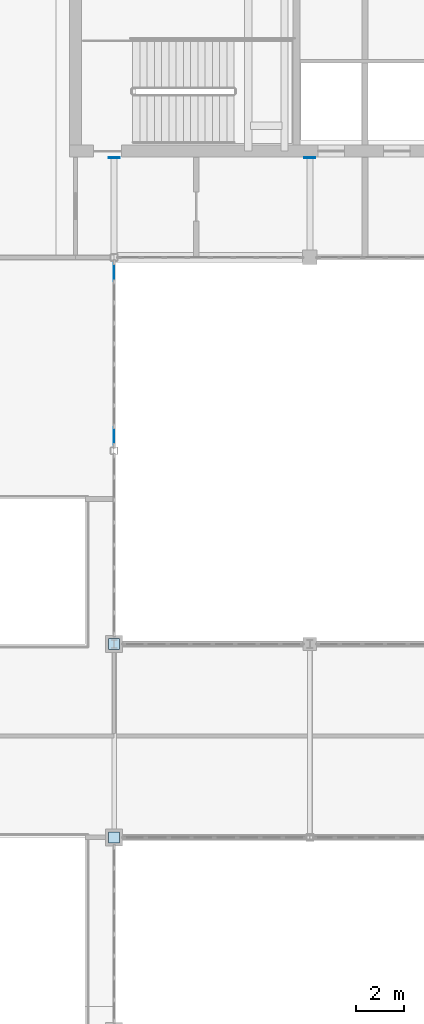
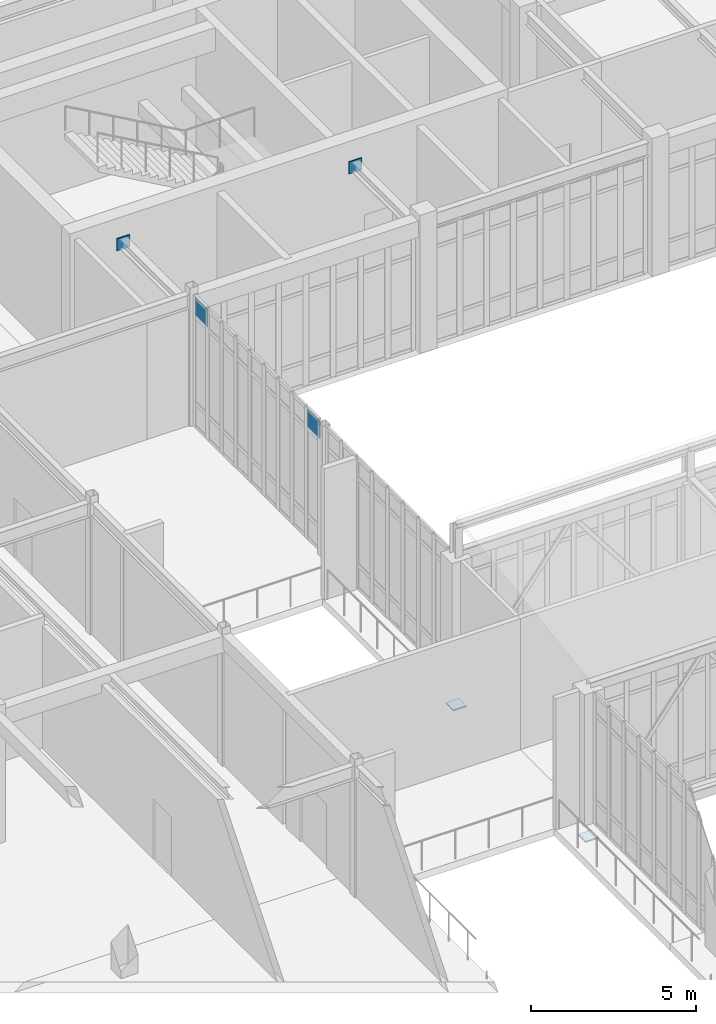
# One storey, part 90 of 107: 6 plates, 1 element without a shape of its own.
"""IFC4 building model written with IfcOpenShell, lengths in metres."""

from ifc_helpers import new_model, si_unit, direction, frame, origin, origin_2d, place, context, subcontext, project, spatial, rectangle, extrude, material, layer, layer_set, type_object, element, aggregate, save


model = new_model("IFC4")

# Units and contexts
model_context = context("Model", 3, precision=1e-05, world=origin(), true_north=direction((0.0, 1.0)))
body_context = subcontext(model_context, "Body", "Model", "MODEL_VIEW")
ifc_project = project(units=[si_unit("LENGTHUNIT", "METRE"), si_unit("AREAUNIT", "SQUARE_METRE"), si_unit("VOLUMEUNIT", "CUBIC_METRE"), si_unit("PLANEANGLEUNIT", "RADIAN"), si_unit("MASSUNIT", "GRAM", prefix="KILO")], contexts=[model_context])

# Site, building, storey
site_placement = place(None, origin())
site = spatial("IfcSite", under=ifc_project, at=site_placement, CompositionType="ELEMENT")
building_placement = place(site_placement, origin())
building = spatial("IfcBuilding", under=site, at=building_placement, Name="Tarnveldt Square Police Headquarters", CompositionType="ELEMENT")
storey_placement = place(building_placement, frame((0.0, 0.0, 14.699951171875)))
storey = spatial("IfcBuildingStorey", under=building, at=storey_placement, Name="L03", CompositionType="ELEMENT", Elevation=14.699951171875)

# Curtain wall, plates
ifc_material_1 = material(Name="Triple-glazed low-e laminated vision glass", Category="glass")
curtain_wall_type = type_object("IfcCurtainWallType", Name="CW-WG-767x484", PredefinedType="USERDEFINED", material=ifc_material_1)
curtain_wall_placement = place(storey_placement, origin())
curtain_wall = element("IfcCurtainWall", 1, at=curtain_wall_placement, inside=storey, type_object=curtain_wall_type, Name="L03 Curtain Wall CW-L03-082", ObjectType="GLAZED CURTAIN WALL", PredefinedType="USERDEFINED")
ifc_layer_1 = layer(ifc_material_1, 0.028076171875)
ifc_layer_set_1 = layer_set([ifc_layer_1], Name="Triple-glazed low-e laminated vision glass")
plate_type_1 = type_object("IfcPlateType", Name="CWP-VIS-28", PredefinedType="CURTAIN_PANEL", material=ifc_layer_set_1)
plate_1_placement = place(storey_placement, frame((48.60009765625, 88.612060546875, 4.12744140625), z_axis=(0.0, 0.0, 1.0), x_axis=(0.0, 1.0, 0.0)))
plate_1 = element("IfcPlate", 2, at=plate_1_placement, type_object=plate_type_1, Name="CW-WG40 panel 1.3", PredefinedType="CURTAIN_PANEL", context=body_context, shape_type="SweptSolid", body=[
    extrude(rectangle(XDim=0.7392578125, YDim=0.028076171875, at=origin_2d()), origin(), (0.0, 0.0, 1.0), 0.637451171875),
])
plate_2_placement = place(storey_placement, frame((48.60009765625, 95.387939453125, 4.12744140625), z_axis=(0.0, 0.0, 1.0), x_axis=(0.0, 1.0, 0.0)))
plate_2 = element("IfcPlate", 3, at=plate_2_placement, type_object=plate_type_1, Name="CW-WG40 panel 9.3", PredefinedType="CURTAIN_PANEL", context=body_context, shape_type="SweptSolid", body=[
    extrude(rectangle(XDim=0.7392578125, YDim=0.028076171875, at=origin_2d()), origin(), (0.0, 0.0, 1.0), 0.637451171875),
])
aggregate(curtain_wall, [plate_1, plate_2])

# Plates
ifc_material_2 = material(Name="Steel 350W", Category="steel")
ifc_layer_2 = layer(ifc_material_2, 0.052001953125)
ifc_layer_set_2 = layer_set([ifc_layer_2], Name="Steel 350W")
plate_type_2 = type_object("IfcPlateType", Name="PLT-BASE-52", PredefinedType="USERDEFINED", material=ifc_layer_set_2)
for number, where, z_axis, x_axis, name in (
    (4, (48.60009765625, 72.0, -0.72900390625), (0.0, 0.0, 1.0), (1.0, 0.0, 0.0), "Skybridge SBN Sliding Bearing Seat Plate W"),
    (5, (48.60009765625, 80.0, -0.72900390625), (0.0, 0.0, 1.0), (1.0, 0.0, 0.0), "Skybridge SBN Sliding Bearing Seat Plate W"),
):
    element("IfcPlate", number, at=place(storey_placement, frame(where, z_axis=z_axis, x_axis=x_axis)), inside=storey, type_object=plate_type_2, Name=name, ObjectType="BASE PLATE", PredefinedType="USERDEFINED", context=body_context, shape_type="SweptSolid", body=[
        extrude(rectangle(XDim=0.449951171875, YDim=0.449951171875, at=origin_2d()), origin(), (0.0, 0.0, 1.0), 0.052001953125),
    ])
ifc_layer_3 = layer(ifc_material_2, 0.0380859375)
ifc_layer_set_3 = layer_set([ifc_layer_3], Name="Steel 350W")
plate_type_3 = type_object("IfcPlateType", Name="PLT-END-38", PredefinedType="SHEET", material=ifc_layer_set_3)
for number, where, z_axis, x_axis, name in (
    (6, (48.60009765625, 100.131103515625, 3.92529296875), (0.0, 0.0, 1.0), (1.0, 0.0, 0.0), "Core K3 Shear Wall CW2 Bolted Truss Anchor End Plate EP1 L03.2"),
    (7, (56.699951171875, 100.131103515625, 3.92529296875), (0.0, 0.0, 1.0), (1.0, 0.0, 0.0), "Core K3 Shear Wall CW2 Bolted Truss Anchor End Plate EP1 L03.3"),
):
    element("IfcPlate", number, at=place(storey_placement, frame(where, z_axis=z_axis, x_axis=x_axis)), inside=storey, type_object=plate_type_3, Name=name, PredefinedType="SHEET", context=body_context, shape_type="SweptSolid", body=[
        extrude(rectangle(XDim=0.449951171875, YDim=0.0380859375, at=origin_2d()), origin(), (0.0, 0.0, 1.0), 0.449951171875),
    ])

save(model, "model.ifc")
